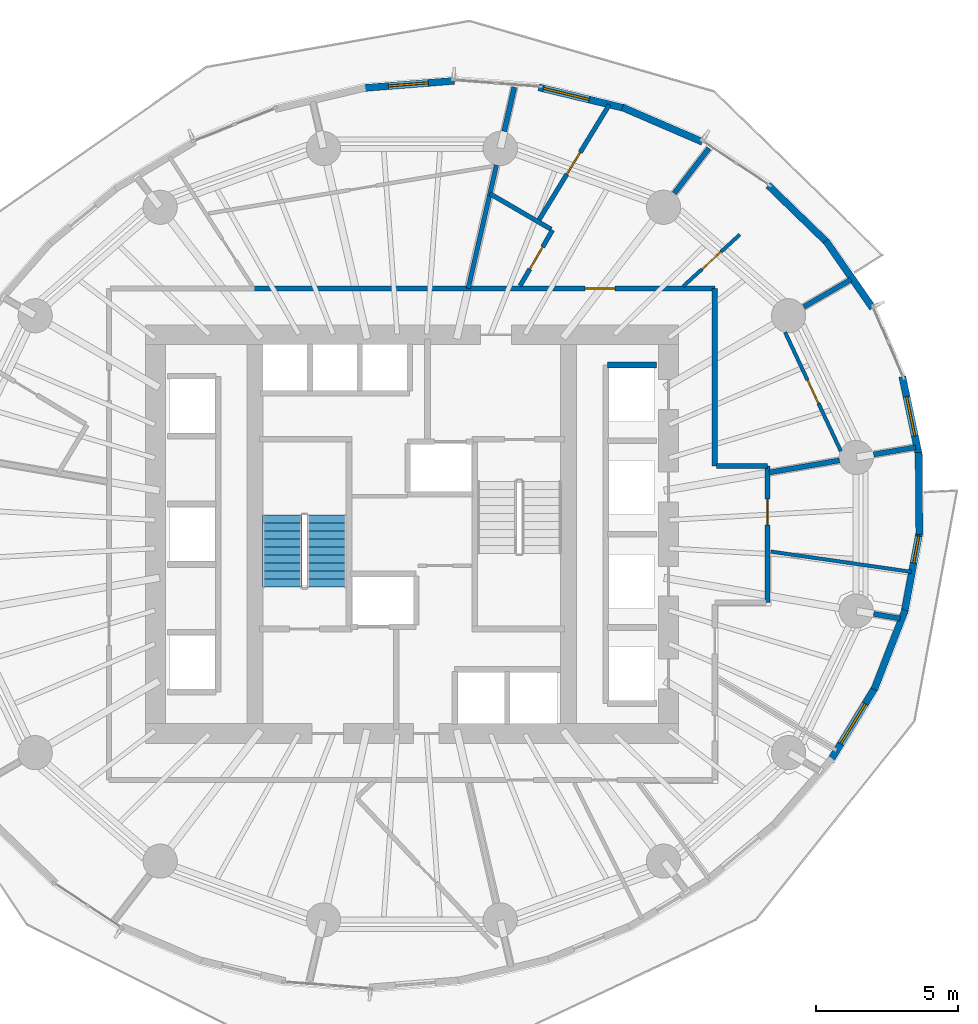
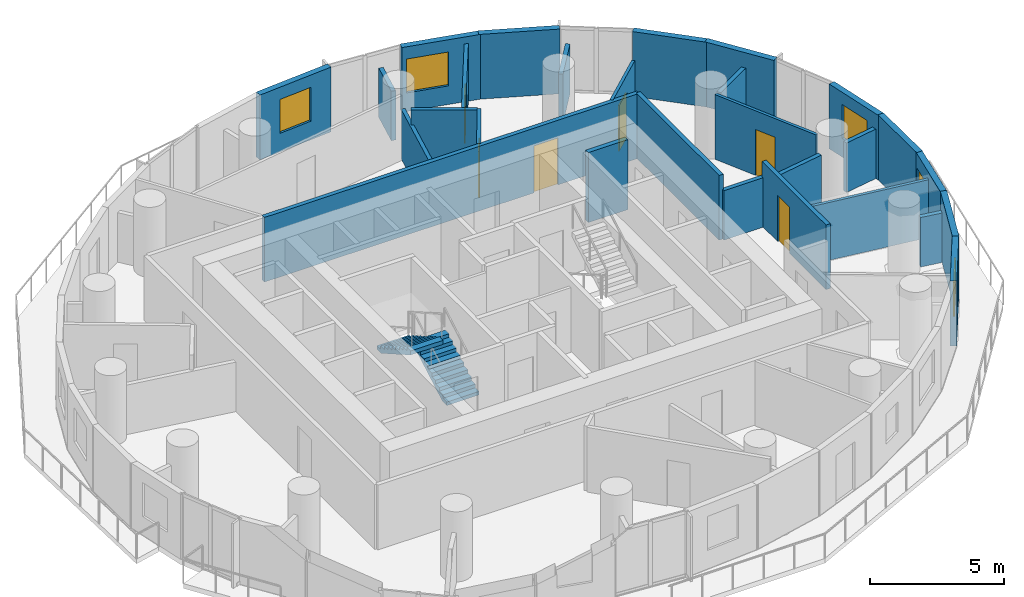
# One storey, part 9 of 14: 28 walls, 6 doors, 5 windows, 2 stair flights, 11 openings, 1 element without a shape of its own.
"""IFC4 building model written with IfcOpenShell, lengths in metres."""

from ifc_helpers import new_model, si_unit, direction, frame, frame_2d, origin, place, context, subcontext, project, spatial, polyline, rectangle, outline, extrude, material, layer, layer_set, type_object, element, fill, aggregate, save


model = new_model("IFC4")

# Units and contexts
model_context = context("Model", 3, precision=1e-05, world=origin(), true_north=direction((0.0, 1.0)))
body_context = subcontext(model_context, "Body", "Model", "MODEL_VIEW")
ifc_project = project(units=[si_unit("LENGTHUNIT", "METRE"), si_unit("AREAUNIT", "SQUARE_METRE"), si_unit("VOLUMEUNIT", "CUBIC_METRE"), si_unit("PLANEANGLEUNIT", "RADIAN"), si_unit("MASSUNIT", "GRAM", prefix="KILO")], contexts=[model_context])

# Site, building, storey
site_placement = place(None, origin())
site = spatial("IfcSite", under=ifc_project, at=site_placement, CompositionType="ELEMENT")
building_placement = place(site_placement, origin())
building = spatial("IfcBuilding", under=site, at=building_placement, Name="Veldorim Arch Residences", CompositionType="ELEMENT")
storey_placement = place(building_placement, frame((0.0, 0.0, 74.080078125)))
storey = spatial("IfcBuildingStorey", under=building, at=storey_placement, Name="L21", CompositionType="ELEMENT", Elevation=74.080078125)

# Wall
ifc_material_1 = material(Name="Acoustic Gypsum Board", Category="gypsum")
ifc_layer_1 = layer(ifc_material_1, 0.125, Name="Acoustic Stud Room Partition Wall 125")
ifc_layer_set_1 = layer_set([ifc_layer_1], Name="Acoustic Gypsum Board")
wall_type_1 = type_object("IfcWallType", Name="Acoustic Stud Room Partition Wall 125", PredefinedType="PARTITIONING", material=ifc_layer_set_1)
wall_1_placement = place(storey_placement, frame((49.53955078125, 22.676513671875, 0.0), z_axis=(0.0, 0.0, 1.0), x_axis=(-0.989708433574, 0.143098625124, 0.0)))
element("IfcWall", 1, at=wall_1_placement, inside=storey, type_object=wall_type_1, Name="L21 interior wall WL-RES-L21-011", PredefinedType="PARTITIONING", context=body_context, shape_type="SweptSolid", body=[
    extrude(rectangle(XDim=4.991943359375, YDim=0.125, at=frame_2d((2.49609375, 0.0))), origin(), (0.0, 0.0, 1.0), 2.641357421875),
])

# Wall, opening, door
wall_2_placement = place(storey_placement, frame((43.510986328125, 34.51611328125, 0.0), z_axis=(0.0, 0.0, 1.0), x_axis=(-0.738303163636, -0.674469004896, 0.0)))
wall_2 = element("IfcWall", 2, at=wall_2_placement, inside=storey, type_object=wall_type_1, Name="L21 interior wall WL-RES-L21-018", PredefinedType="PARTITIONING", context=body_context, shape_type="SweptSolid", body=[
    extrude(rectangle(XDim=2.6962890625, YDim=0.125, at=frame_2d((1.34814453125, 0.0))), origin(), (0.0, 0.0, 1.0), 2.954833984375),
])
opening_1_placement = place(wall_2_placement, frame((0.898193359375, 0.0, 0.0)))
opening_1 = element("IfcOpeningElement", 3, at=opening_1_placement, cuts=wall_2, Name="Opening DR-INT", PredefinedType="OPENING", context=body_context, shape_type="SweptSolid", body=[
    extrude(rectangle(XDim=0.89990234375, YDim=2.10009765625, at=frame_2d((0.449951171875, 1.050048828125))), frame((0.0, 0.072509765625, 0.0), z_axis=(0.0, -1.0, 0.0), x_axis=(1.0, 0.0, 0.0)), (0.0, 0.0, 1.0), 0.14501953125),
])
ifc_material_2 = material(Name="Engineered Timber", Category="wood")
door_type_1 = type_object("IfcDoorType", Name="Apartment Internal Room Timber Door 900x2100", OperationType="SINGLE_SWING_LEFT", PredefinedType="DOOR", material=ifc_material_2)
door_1_placement = place(opening_1_placement, origin())
door_1 = element("IfcDoor", 4, at=door_1_placement, inside=storey, type_object=door_type_1, Name="L21 interior door DR-RES-L21-008", OperationType="SINGLE_SWING_RIGHT", OverallHeight=2.10009765625, OverallWidth=0.89990234375, PredefinedType="DOOR", context=body_context, shape_type="SweptSolid", body=[
    extrude(rectangle(XDim=0.89990234375, YDim=2.10009765625, at=frame_2d((0.449951171875, 1.050048828125))), frame((0.0, 0.02490234375, 0.0), z_axis=(0.0, -1.0, 0.0), x_axis=(1.0, 0.0, 0.0)), (0.0, 0.0, 1.0), 0.050048828125),
])
fill(opening_1, door_1)

wall_3_placement = place(storey_placement, frame((45.09814453125, 31.08740234375, 0.0), z_axis=(0.0, 0.0, 1.0), x_axis=(0.424725570062, -0.905322147158, 0.0)))
wall_3 = element("IfcWall", 5, at=wall_3_placement, inside=storey, type_object=wall_type_1, Name="L21 interior wall WL-RES-L21-022", PredefinedType="PARTITIONING", context=body_context, shape_type="SweptSolid", body=[
    extrude(rectangle(XDim=4.610107421875, YDim=0.125, at=frame_2d((2.30517578125, 0.0))), origin(), (0.0, 0.0, 1.0), 2.954833984375),
])
opening_2_placement = place(wall_3_placement, frame((1.85498046875, 0.0, 0.0)))
opening_2 = element("IfcOpeningElement", 6, at=opening_2_placement, cuts=wall_3, Name="Opening DR-INT", PredefinedType="OPENING", context=body_context, shape_type="SweptSolid", body=[
    extrude(rectangle(XDim=0.89990234375, YDim=2.10009765625, at=frame_2d((0.449951171875, 1.050048828125))), frame((0.0, 0.072509765625, 0.0), z_axis=(0.0, -1.0, 0.0), x_axis=(1.0, 0.0, 0.0)), (0.0, 0.0, 1.0), 0.14501953125),
])
door_2_placement = place(opening_2_placement, origin())
door_2 = element("IfcDoor", 7, at=door_2_placement, inside=storey, type_object=door_type_1, Name="L21 interior door DR-RES-L21-009", OperationType="SINGLE_SWING_LEFT", OverallHeight=2.10009765625, OverallWidth=0.89990234375, PredefinedType="DOOR", context=body_context, shape_type="SweptSolid", body=[
    extrude(rectangle(XDim=0.89990234375, YDim=2.10009765625, at=frame_2d((0.449951171875, 1.050048828125))), frame((0.0, 0.02490234375, 0.0), z_axis=(0.0, -1.0, 0.0), x_axis=(1.0, 0.0, 0.0)), (0.0, 0.0, 1.0), 0.050048828125),
])
fill(opening_2, door_2)

# Walls
ifc_material_3 = material(Name="Lightweight Masonry Block & Gypsum", Category="masonry")
ifc_layer_2 = layer(ifc_material_3, 0.179931640625, Name="Compartment & Corridor Fire-Rated Party Wall 180")
ifc_layer_set_2 = layer_set([ifc_layer_2], Name="Lightweight Masonry Block & Gypsum")
wall_type_2 = type_object("IfcWallType", Name="Compartment & Corridor Fire-Rated Party Wall 180", PredefinedType="PARTITIONING", material=ifc_layer_set_2)
wall_4_placement = place(storey_placement, frame((48.20556640625, 26.797607421875, 0.0), z_axis=(0.0, 0.0, 1.0), x_axis=(0.985414821555, 0.170169413997, 0.0)))
element("IfcWall", 8, at=wall_4_placement, inside=storey, type_object=wall_type_2, Name="L21 interior wall WL-PIER-L21-01", PredefinedType="PARTITIONING", context=body_context, shape_type="SweptSolid", body=[
    extrude(rectangle(XDim=1.494873046875, YDim=0.179931640625, at=frame_2d((0.74755859375, 0.0))), origin(), (0.0, 0.0, 1.0), 2.260498046875),
])
wall_5_placement = place(storey_placement, frame((45.756591796875, 31.977783203125, 0.0), z_axis=(0.0, 0.0, 1.0), x_axis=(0.86503562166, 0.501710447628, 0.0)))
element("IfcWall", 9, at=wall_5_placement, inside=storey, type_object=wall_type_2, Name="L21 interior wall WL-PIER-L21-02", PredefinedType="PARTITIONING", context=body_context, shape_type="SweptSolid", body=[
    extrude(rectangle(XDim=1.912353515625, YDim=0.179931640625, at=frame_2d((0.9560546875, 0.0))), origin(), (0.0, 0.0, 1.0), 2.260498046875),
])
wall_6_placement = place(storey_placement, frame((41.2119140625, 35.965576171875, 0.0), z_axis=(0.0, 0.0, 1.0), x_axis=(0.609995088008, 0.792405194712, 0.0)))
element("IfcWall", 10, at=wall_6_placement, inside=storey, type_object=wall_type_2, Name="L21 interior wall WL-PIER-L21-03", PredefinedType="PARTITIONING", context=body_context, shape_type="SweptSolid", body=[
    extrude(rectangle(XDim=1.991455078125, YDim=0.179931640625, at=frame_2d((0.99560546875, 0.0))), origin(), (0.0, 0.0, 1.0), 2.260498046875),
])
wall_7_placement = place(storey_placement, frame((35.240478515625, 38.13916015625, 0.0), z_axis=(0.0, 0.0, 1.0), x_axis=(0.223333591652, 0.974742071955, 0.0)))
element("IfcWall", 11, at=wall_7_placement, inside=storey, type_object=wall_type_2, Name="L21 interior wall WL-PIER-L21-04", PredefinedType="PARTITIONING", context=body_context, shape_type="SweptSolid", body=[
    extrude(rectangle(XDim=1.58935546875, YDim=0.179931640625, at=frame_2d((0.794677734375, 0.0))), origin(), (0.0, 0.0, 1.0), 2.260498046875),
])
wall_8_placement = place(storey_placement, frame((48.20556640625, 21.202392578125, 0.0), z_axis=(0.0, 0.0, 1.0), x_axis=(0.985396187556, -0.170277284302, 0.0)))
element("IfcWall", 12, at=wall_8_placement, inside=storey, type_object=wall_type_2, Name="L21 interior wall WL-PIER-L21-16", PredefinedType="PARTITIONING", context=body_context, shape_type="SweptSolid", body=[
    extrude(rectangle(XDim=0.94921875, YDim=0.179931640625, at=frame_2d((0.474609375, 0.0))), origin(), (0.0, 0.0, 1.0), 2.260498046875),
])

# Wall, opening, door
wall_9_placement = place(storey_placement, frame((44.47998046875, 26.39990234375, 0.0), z_axis=(0.0, 0.0, 1.0), x_axis=(0.0, -1.0, 0.0)))
wall_9 = element("IfcWall", 13, at=wall_9_placement, inside=storey, type_object=wall_type_2, Name="L21 interior wall WL-RES-L21-001", PredefinedType="PARTITIONING", context=body_context, shape_type="SweptSolid", body=[
    extrude(rectangle(XDim=4.7998046875, YDim=0.179931640625, at=frame_2d((2.39990234375, 0.0))), origin(), (0.0, 0.0, 1.0), 2.954833984375),
])
opening_3_placement = place(wall_9_placement, frame((1.168701171875, 0.0, 0.0)))
opening_3 = element("IfcOpeningElement", 14, at=opening_3_placement, cuts=wall_9, Name="Opening DR-SVC", PredefinedType="OPENING", context=body_context, shape_type="SweptSolid", body=[
    extrude(rectangle(XDim=0.89990234375, YDim=2.10009765625, at=frame_2d((0.449951171875, 1.050048828125))), frame((0.0, 0.099853515625, 0.0), z_axis=(0.0, -1.0, 0.0), x_axis=(1.0, 0.0, 0.0)), (0.0, 0.0, 1.0), 0.199951171875),
])
ifc_material_4 = material(Name="Fire-Rated Steel", Category="steel")
door_type_2 = type_object("IfcDoorType", Name="Riser, Shelter & Plant Room Rated Steel Door 900x2100", OperationType="SINGLE_SWING_LEFT", PredefinedType="DOOR", material=ifc_material_4)
door_3_placement = place(opening_3_placement, origin())
door_3 = element("IfcDoor", 15, at=door_3_placement, inside=storey, type_object=door_type_2, Name="L21 interior door DR-RES-L21-001", OperationType="SINGLE_SWING_LEFT", OverallHeight=2.10009765625, OverallWidth=0.89990234375, PredefinedType="DOOR", context=body_context, shape_type="SweptSolid", body=[
    extrude(rectangle(XDim=0.89990234375, YDim=2.10009765625, at=frame_2d((0.449951171875, 1.050048828125))), frame((0.0, 0.02490234375, 0.0), z_axis=(0.0, -1.0, 0.0), x_axis=(1.0, 0.0, 0.0)), (0.0, 0.0, 1.0), 0.050048828125),
])
fill(opening_3, door_3)

wall_10_placement = place(storey_placement, frame((26.43115234375, 32.6298828125, 0.0), z_axis=(0.0, 0.0, 1.0), x_axis=(1.0, 0.0, 0.0)))
wall_10 = element("IfcWall", 16, at=wall_10_placement, inside=storey, type_object=wall_type_2, Name="L21 interior wall WL-RES-L21-005", PredefinedType="PARTITIONING", context=body_context, shape_type="SweptSolid", body=[
    extrude(rectangle(XDim=16.19873046875, YDim=0.179931640625, at=frame_2d((8.099365234375, 0.0))), origin(), (0.0, 0.0, 1.0), 2.954833984375),
])
opening_4_placement = place(wall_10_placement, frame((11.645263671875, 0.0, 0.0)))
opening_4 = element("IfcOpeningElement", 17, at=opening_4_placement, cuts=wall_10, Name="Opening DR-FLT", PredefinedType="OPENING", context=body_context, shape_type="SweptSolid", body=[
    extrude(rectangle(XDim=1.050048828125, YDim=2.14990234375, at=frame_2d((0.52490234375, 1.074951171875))), frame((0.0, 0.099853515625, 0.0), z_axis=(0.0, -1.0, 0.0), x_axis=(1.0, 0.0, 0.0)), (0.0, 0.0, 1.0), 0.199951171875),
])
ifc_material_5 = material(Name="Fire-Rated Timber", Category="wood")
door_type_3 = type_object("IfcDoorType", Name="Apartment Entrance Solid-Core Fire Door 1050x2150", OperationType="SINGLE_SWING_LEFT", PredefinedType="DOOR", material=ifc_material_5)
door_4_placement = place(opening_4_placement, origin())
door_4 = element("IfcDoor", 18, at=door_4_placement, inside=storey, type_object=door_type_3, Name="L21 interior door DR-RES-L21-006", OperationType="SINGLE_SWING_RIGHT", OverallHeight=2.14990234375, OverallWidth=1.050048828125, PredefinedType="DOOR", context=body_context, shape_type="SweptSolid", body=[
    extrude(rectangle(XDim=1.050048828125, YDim=2.14990234375, at=frame_2d((0.52490234375, 1.074951171875))), frame((0.0, 0.02490234375, 0.0), z_axis=(0.0, -1.0, 0.0), x_axis=(1.0, 0.0, 0.0)), (0.0, 0.0, 1.0), 0.050048828125),
])
fill(opening_4, door_4)

# Walls
wall_11_placement = place(storey_placement, frame((42.6298828125, 32.6298828125, 0.0), z_axis=(0.0, 0.0, 1.0), x_axis=(0.0, -1.0, 0.0)))
element("IfcWall", 19, at=wall_11_placement, inside=storey, type_object=wall_type_2, Name="L21 interior wall WL-RES-L21-006", PredefinedType="PARTITIONING", context=body_context, shape_type="SweptSolid", body=[
    extrude(rectangle(XDim=6.22998046875, YDim=0.179931640625, at=frame_2d((3.114990234375, 0.0))), origin(), (0.0, 0.0, 1.0), 2.954833984375),
])
wall_12_placement = place(storey_placement, frame((42.68994140625, 26.39990234375, 0.0), z_axis=(0.0, 0.0, 1.0), x_axis=(1.0, 0.0, 0.0)))
element("IfcWall", 20, at=wall_12_placement, inside=storey, type_object=wall_type_2, Name="L21 interior wall WL-RES-L21-007", PredefinedType="PARTITIONING", context=body_context, shape_type="SweptSolid", body=[
    extrude(rectangle(XDim=1.7900390625, YDim=0.179931640625, at=frame_2d((0.89501953125, 0.0))), origin(), (0.0, 0.0, 1.0), 2.260498046875),
])
wall_13_placement = place(storey_placement, frame((44.5390625, 26.164794921875, 0.0), z_axis=(0.0, 0.0, 1.0), x_axis=(0.985420684403, 0.170135460006, 0.0)))
element("IfcWall", 21, at=wall_13_placement, inside=storey, type_object=wall_type_2, Name="L21 interior wall WL-RES-L21-012", PredefinedType="PARTITIONING", context=body_context, shape_type="SweptSolid", body=[
    extrude(rectangle(XDim=2.504150390625, YDim=0.179931640625, at=frame_2d((1.251953125, 0.0))), origin(), (0.0, 0.0, 1.0), 2.260498046875),
])
ifc_material_6 = material(Name="Concrete C50/60", Category="concrete")
ifc_layer_3 = layer(ifc_material_6, 0.199951171875, Name="Core Stair & Lift Shaft Enclosure Wall 200")
ifc_layer_set_3 = layer_set([ifc_layer_3], Name="Concrete C50/60")
wall_type_3 = type_object("IfcWallType", Name="Core Stair & Lift Shaft Enclosure Wall 200", PredefinedType="SHEAR", material=ifc_layer_set_3)
wall_14_placement = place(storey_placement, frame((38.8701171875, 29.93994140625, 0.0), z_axis=(0.0, 0.0, 1.0), x_axis=(1.0, 0.0, 0.0)))
element("IfcWall", 22, at=wall_14_placement, inside=storey, type_object=wall_type_3, Name="L21 shaft wall WL-B1-L21-N", PredefinedType="SHEAR", context=body_context, shape_type="SweptSolid", body=[
    extrude(rectangle(XDim=1.7099609375, YDim=0.199951171875, at=frame_2d((0.85498046875, 0.0))), origin(), (0.0, 0.0, 1.0), 3.199951171875),
])
ifc_material_7 = material(Name="Precast concrete C40/50", Category="concrete")
ifc_layer_4 = layer(ifc_material_7, 0.25, Name="Tower Terracotta Spandrel & Pier Wall 250")
ifc_layer_set_4 = layer_set([ifc_layer_4], Name="Precast concrete C40/50")
wall_type_4 = type_object("IfcWallType", Name="Tower Terracotta Spandrel & Pier Wall 250", PredefinedType="SOLIDWALL", material=ifc_layer_set_4)
wall_15_placement = place(storey_placement, frame((46.532470703125, 34.298095703125, 0.0), z_axis=(0.0, 0.0, 1.0), x_axis=(0.570574087236, -0.821246133005, 0.0)))
element("IfcWall", 23, at=wall_15_placement, inside=storey, type_object=wall_type_4, Name="L21 terracotta facade wall 02", PredefinedType="SOLIDWALL", context=body_context, shape_type="SweptSolid", body=[
    extrude(rectangle(XDim=2.8740234375, YDim=0.25, at=frame_2d((1.43701171875, 0.0))), origin(), (0.0, 0.0, 1.0), 2.9599609375),
])
wall_16_placement = place(storey_placement, frame((44.50732421875, 36.24658203125, 0.0), z_axis=(0.0, 0.0, 1.0), x_axis=(0.717880157086, -0.696166704219, 0.0)))
element("IfcWall", 24, at=wall_16_placement, inside=storey, type_object=wall_type_4, Name="L21 terracotta facade wall 03", PredefinedType="SOLIDWALL", context=body_context, shape_type="SweptSolid", body=[
    extrude(rectangle(XDim=2.92333984375, YDim=0.25, at=frame_2d((1.461669921875, 0.0))), origin(), (0.0, 0.0, 1.0), 2.9599609375),
])
wall_17_placement = place(storey_placement, frame((39.39013671875, 38.982421875, 0.0), z_axis=(0.0, 0.0, 1.0), x_axis=(0.91829708806, -0.395891977766, 0.0)))
element("IfcWall", 25, at=wall_17_placement, inside=storey, type_object=wall_type_4, Name="L21 terracotta facade wall 05", PredefinedType="SOLIDWALL", context=body_context, shape_type="SweptSolid", body=[
    extrude(rectangle(XDim=3.060546875, YDim=0.25, at=frame_2d((1.5302734375, 0.0))), origin(), (0.0, 0.0, 1.0), 2.9599609375),
])

# Wall, opening, window
wall_18_placement = place(storey_placement, frame((36.452392578125, 39.6865234375, 0.0), z_axis=(0.0, 0.0, 1.0), x_axis=(0.971748850292, -0.236017312833, 0.0)))
wall_18 = element("IfcWall", 26, at=wall_18_placement, inside=storey, type_object=wall_type_4, Name="L21 terracotta facade wall 06", PredefinedType="SOLIDWALL", context=body_context, shape_type="SweptSolid", body=[
    extrude(rectangle(XDim=3.131103515625, YDim=0.25, at=frame_2d((1.5654296875, 0.0))), origin(), (0.0, 0.0, 1.0), 2.9599609375),
])
opening_5_placement = place(wall_18_placement, frame((0.175048828125, 0.0, 0.85009765625)))
opening_5 = element("IfcOpeningElement", 27, at=opening_5_placement, cuts=wall_18, Name="Opening WN-03", PredefinedType="OPENING", context=body_context, shape_type="SweptSolid", body=[
    extrude(rectangle(XDim=1.64990234375, YDim=1.550048828125, at=frame_2d((0.824951171875, 0.77490234375))), frame((0.0, 0.135009765625, 0.0), z_axis=(0.0, -1.0, 0.0), x_axis=(1.0, 0.0, 0.0)), (0.0, 0.0, 1.0), 0.27001953125),
])
ifc_material_8 = material(Name="Laminated Low-E Glass", Category="glass")
window_type_1 = type_object("IfcWindowType", Name="Residential Wide Window 1650x1550", PartitioningType="SINGLE_PANEL", PredefinedType="WINDOW", material=ifc_material_8)
window_1_placement = place(opening_5_placement, origin())
window_1 = element("IfcWindow", 28, at=window_1_placement, inside=storey, type_object=window_type_1, Name="L21 solar-control facade window 06", OverallHeight=1.550048828125, OverallWidth=1.64990234375, PartitioningType="SINGLE_PANEL", PredefinedType="WINDOW", context=body_context, shape_type="SweptSolid", body=[
    extrude(rectangle(XDim=1.64990234375, YDim=1.550048828125, at=frame_2d((0.824951171875, 0.77490234375))), frame((0.0, 0.030029296875, 0.0), z_axis=(0.0, -1.0, 0.0), x_axis=(1.0, 0.0, 0.0)), (0.0, 0.0, 1.0), 0.06005859375),
])
fill(opening_5, window_1)

wall_19_placement = place(storey_placement, frame((30.26171875, 39.65771484375, 0.0), z_axis=(0.0, 0.0, 1.0), x_axis=(0.996851873062, 0.079286462736, 0.0)))
wall_19 = element("IfcWall", 29, at=wall_19_placement, inside=storey, type_object=wall_type_4, Name="L21 terracotta facade wall 08", PredefinedType="SOLIDWALL", context=body_context, shape_type="SweptSolid", body=[
    extrude(rectangle(XDim=3.236328125, YDim=0.25, at=frame_2d((1.6181640625, 0.0))), origin(), (0.0, 0.0, 1.0), 2.9599609375),
])
opening_6_placement = place(wall_19_placement, frame((0.91796875, 0.0, 0.85009765625)))
opening_6 = element("IfcOpeningElement", 30, at=opening_6_placement, cuts=wall_19, Name="Opening WN-02", PredefinedType="OPENING", context=body_context, shape_type="SweptSolid", body=[
    extrude(rectangle(XDim=1.39990234375, YDim=1.550048828125, at=frame_2d((0.699951171875, 0.77490234375))), frame((0.0, 0.135009765625, 0.0), z_axis=(0.0, -1.0, 0.0), x_axis=(1.0, 0.0, 0.0)), (0.0, 0.0, 1.0), 0.27001953125),
])
ifc_material_9 = material(Name="Laminated Low-E Glass", Category="glass")
window_type_2 = type_object("IfcWindowType", Name="Residential Casement Window 1400x1550", PartitioningType="SINGLE_PANEL", PredefinedType="WINDOW", material=ifc_material_9)
window_2_placement = place(opening_6_placement, origin())
window_2 = element("IfcWindow", 31, at=window_2_placement, inside=storey, type_object=window_type_2, Name="L21 solar-control facade window 08", OverallHeight=1.550048828125, OverallWidth=1.39990234375, PartitioningType="SINGLE_PANEL", PredefinedType="WINDOW", context=body_context, shape_type="SweptSolid", body=[
    extrude(rectangle(XDim=1.39990234375, YDim=1.550048828125, at=frame_2d((0.699951171875, 0.77490234375))), frame((0.0, 0.030029296875, 0.0), z_axis=(0.0, -1.0, 0.0), x_axis=(1.0, 0.0, 0.0)), (0.0, 0.0, 1.0), 0.06005859375),
])
fill(opening_6, window_2)

wall_20_placement = place(storey_placement, frame((48.28076171875, 18.64990234375, 0.0), z_axis=(0.0, 0.0, 1.0), x_axis=(-0.520956264952, -0.853583370273, 0.0)))
wall_20 = element("IfcWall", 32, at=wall_20_placement, inside=storey, type_object=wall_type_4, Name="L21 terracotta facade wall 32", PredefinedType="SOLIDWALL", context=body_context, shape_type="SweptSolid", body=[
    extrude(rectangle(XDim=3.060791015625, YDim=0.25, at=frame_2d((1.5302734375, 0.0))), origin(), (0.0, 0.0, 1.0), 2.9599609375),
])
opening_7_placement = place(wall_20_placement, frame((0.705078125, 0.0, 0.85009765625)))
opening_7 = element("IfcOpeningElement", 33, at=opening_7_placement, cuts=wall_20, Name="Opening WN-03", PredefinedType="OPENING", context=body_context, shape_type="SweptSolid", body=[
    extrude(rectangle(XDim=1.64990234375, YDim=1.550048828125, at=frame_2d((0.824951171875, 0.77490234375))), frame((0.0, 0.135009765625, 0.0), z_axis=(0.0, -1.0, 0.0), x_axis=(1.0, 0.0, 0.0)), (0.0, 0.0, 1.0), 0.27001953125),
])
window_3_placement = place(opening_7_placement, origin())
window_3 = element("IfcWindow", 34, at=window_3_placement, inside=storey, type_object=window_type_1, Name="L21 solar-control facade window 32", OverallHeight=1.550048828125, OverallWidth=1.64990234375, PartitioningType="SINGLE_PANEL", PredefinedType="WINDOW", context=body_context, shape_type="SweptSolid", body=[
    extrude(rectangle(XDim=1.64990234375, YDim=1.550048828125, at=frame_2d((0.824951171875, 0.77490234375))), frame((0.0, 0.030029296875, 0.0), z_axis=(0.0, -1.0, 0.0), x_axis=(1.0, 0.0, 0.0)), (0.0, 0.0, 1.0), 0.06005859375),
])
fill(opening_7, window_3)

# Wall
wall_21_placement = place(storey_placement, frame((49.314208984375, 21.3349609375, 0.0), z_axis=(0.0, 0.0, 1.0), x_axis=(-0.362414720493, -0.93201693674, 0.0)))
element("IfcWall", 35, at=wall_21_placement, inside=storey, type_object=wall_type_4, Name="L21 terracotta facade wall 33", PredefinedType="SOLIDWALL", context=body_context, shape_type="SweptSolid", body=[
    extrude(rectangle(XDim=2.98828125, YDim=0.25, at=frame_2d((1.494140625, 0.0))), origin(), (0.0, 0.0, 1.0), 2.9599609375),
])

# Wall, opening, window
wall_22_placement = place(storey_placement, frame((49.8212890625, 24.10009765625, 0.0), z_axis=(0.0, 0.0, 1.0), x_axis=(-0.183975908968, -0.982930752861, 0.0)))
wall_22 = element("IfcWall", 36, at=wall_22_placement, inside=storey, type_object=wall_type_4, Name="L21 terracotta facade wall 34", PredefinedType="SOLIDWALL", context=body_context, shape_type="SweptSolid", body=[
    extrude(rectangle(XDim=2.92333984375, YDim=0.25, at=frame_2d((1.461669921875, 0.0))), origin(), (0.0, 0.0, 1.0), 2.9599609375),
])
opening_8_placement = place(wall_22_placement, frame((0.175048828125, 0.0, 0.85009765625)))
opening_8 = element("IfcOpeningElement", 37, at=opening_8_placement, cuts=wall_22, Name="Opening WN-05", PredefinedType="OPENING", context=body_context, shape_type="SweptSolid", body=[
    extrude(rectangle(XDim=0.949951171875, YDim=1.449951171875, at=frame_2d((0.47509765625, 0.72509765625))), frame((0.0, 0.135009765625, 0.0), z_axis=(0.0, -1.0, 0.0), x_axis=(1.0, 0.0, 0.0)), (0.0, 0.0, 1.0), 0.27001953125),
])
ifc_material_10 = material(Name="Laminated Low-E Glass", Category="glass")
window_type_3 = type_object("IfcWindowType", Name="Residential Compact Casement Window 950x1450", PartitioningType="SINGLE_PANEL", PredefinedType="WINDOW", material=ifc_material_10)
window_4_placement = place(opening_8_placement, origin())
window_4 = element("IfcWindow", 38, at=window_4_placement, inside=storey, type_object=window_type_3, Name="L21 solar-control facade window 34", OverallHeight=1.449951171875, OverallWidth=0.949951171875, PartitioningType="SINGLE_PANEL", PredefinedType="WINDOW", context=body_context, shape_type="SweptSolid", body=[
    extrude(rectangle(XDim=0.949951171875, YDim=1.449951171875, at=frame_2d((0.47509765625, 0.72509765625))), frame((0.0, 0.030029296875, 0.0), z_axis=(0.0, -1.0, 0.0), x_axis=(1.0, 0.0, 0.0)), (0.0, 0.0, 1.0), 0.06005859375),
])
fill(opening_8, window_4)

# Wall
wall_23_placement = place(storey_placement, frame((49.78662109375, 26.860595703125, 0.0), z_axis=(0.0, 0.0, 1.0), x_axis=(0.008580093639, -0.999963190319, 0.0)))
element("IfcWall", 39, at=wall_23_placement, inside=storey, type_object=wall_type_4, Name="L21 terracotta facade wall 35", PredefinedType="SOLIDWALL", context=body_context, shape_type="SweptSolid", body=[
    extrude(rectangle(XDim=2.873779296875, YDim=0.25, at=frame_2d((1.43701171875, 0.0))), origin(), (0.0, 0.0, 1.0), 2.9599609375),
])

# Wall, opening, window
wall_24_placement = place(storey_placement, frame((49.212646484375, 29.533447265625, 0.0), z_axis=(0.0, 0.0, 1.0), x_axis=(0.205949984324, -0.978562519187, 0.0)))
wall_24 = element("IfcWall", 40, at=wall_24_placement, inside=storey, type_object=wall_type_4, Name="L21 terracotta facade wall 36", PredefinedType="SOLIDWALL", context=body_context, shape_type="SweptSolid", body=[
    extrude(rectangle(XDim=2.847412109375, YDim=0.25, at=frame_2d((1.423828125, 0.0))), origin(), (0.0, 0.0, 1.0), 2.9599609375),
])
opening_9_placement = place(wall_24_placement, frame((0.72412109375, 0.0, 0.85009765625)))
opening_9 = element("IfcOpeningElement", 41, at=opening_9_placement, cuts=wall_24, Name="Opening WN-02", PredefinedType="OPENING", context=body_context, shape_type="SweptSolid", body=[
    extrude(rectangle(XDim=1.39990234375, YDim=1.550048828125, at=frame_2d((0.699951171875, 0.77490234375))), frame((0.0, 0.135009765625, 0.0), z_axis=(0.0, -1.0, 0.0), x_axis=(1.0, 0.0, 0.0)), (0.0, 0.0, 1.0), 0.27001953125),
])
window_5_placement = place(opening_9_placement, origin())
window_5 = element("IfcWindow", 42, at=window_5_placement, inside=storey, type_object=window_type_2, Name="L21 solar-control facade window 36", OverallHeight=1.550048828125, OverallWidth=1.39990234375, PartitioningType="SINGLE_PANEL", PredefinedType="WINDOW", context=body_context, shape_type="SweptSolid", body=[
    extrude(rectangle(XDim=1.39990234375, YDim=1.550048828125, at=frame_2d((0.699951171875, 0.77490234375))), frame((0.0, 0.030029296875, 0.0), z_axis=(0.0, -1.0, 0.0), x_axis=(1.0, 0.0, 0.0)), (0.0, 0.0, 1.0), 0.06005859375),
])
fill(opening_9, window_5)

# Wall, opening, door
ifc_material_11 = material(Name="Moisture-Resistant Gypsum & Stud", Category="gypsum")
ifc_layer_5 = layer(ifc_material_11, 0.159912109375, Name="Wet-Area Moisture-Resistant Plumbing Wall 160")
ifc_layer_set_5 = layer_set([ifc_layer_5], Name="Moisture-Resistant Gypsum & Stud")
wall_type_5 = type_object("IfcWallType", Name="Wet-Area Moisture-Resistant Plumbing Wall 160", PredefinedType="PLUMBINGWALL", material=ifc_layer_set_5)
wall_25_placement = place(storey_placement, frame((36.423828125, 34.970947265625, 0.0), z_axis=(0.0, 0.0, 1.0), x_axis=(0.521036660125, 0.853534298553, 0.0)))
wall_25 = element("IfcWall", 43, at=wall_25_placement, inside=storey, type_object=wall_type_5, Name="L21 interior wall WL-RES-L21-017", PredefinedType="PLUMBINGWALL", context=body_context, shape_type="SweptSolid", body=[
    extrude(rectangle(XDim=4.802734375, YDim=0.159912109375, at=frame_2d((2.4013671875, 0.0))), origin(), (0.0, 0.0, 1.0), 2.641357421875),
])
opening_10_placement = place(wall_25_placement, frame((1.951416015625, 0.0, 0.0)))
opening_10 = element("IfcOpeningElement", 44, at=opening_10_placement, cuts=wall_25, Name="Opening DR-WC", PredefinedType="OPENING", context=body_context, shape_type="SweptSolid", body=[
    extrude(rectangle(XDim=0.89990234375, YDim=2.10009765625, at=frame_2d((0.449951171875, 1.050048828125))), frame((0.0, 0.08984375, 0.0), z_axis=(0.0, -1.0, 0.0), x_axis=(1.0, 0.0, 0.0)), (0.0, 0.0, 1.0), 0.179931640625),
])
ifc_material_12 = material(Name="Laminate Timber", Category="wood")
door_type_4 = type_object("IfcDoorType", Name="Bathroom & Accessible WC Moisture-Sealed Door 900x2100", OperationType="SINGLE_SWING_LEFT", PredefinedType="DOOR", material=ifc_material_12)
door_5_placement = place(opening_10_placement, origin())
door_5 = element("IfcDoor", 45, at=door_5_placement, inside=storey, type_object=door_type_4, Name="L21 interior door DR-RES-L21-007", OperationType="SINGLE_SWING_LEFT", OverallHeight=2.10009765625, OverallWidth=0.89990234375, PredefinedType="DOOR", context=body_context, shape_type="SweptSolid", body=[
    extrude(rectangle(XDim=0.89990234375, YDim=2.10009765625, at=frame_2d((0.449951171875, 1.050048828125))), frame((0.0, 0.02490234375, 0.0), z_axis=(0.0, -1.0, 0.0), x_axis=(1.0, 0.0, 0.0)), (0.0, 0.0, 1.0), 0.050048828125),
])
fill(opening_10, door_5)

wall_26_placement = place(storey_placement, frame((35.796875, 32.71630859375, 0.0), z_axis=(0.0, 0.0, 1.0), x_axis=(0.50256985659, 0.864536603763, 0.0)))
wall_26 = element("IfcWall", 46, at=wall_26_placement, inside=storey, type_object=wall_type_5, Name="L21 interior wall WL-RES-L21-019", PredefinedType="PLUMBINGWALL", context=body_context, shape_type="SweptSolid", body=[
    extrude(rectangle(XDim=2.26416015625, YDim=0.159912109375, at=frame_2d((1.132080078125, 0.0))), origin(), (0.0, 0.0, 1.0), 2.954833984375),
])
opening_11_placement = place(wall_26_placement, frame((0.68212890625, 0.0, 0.0)))
opening_11 = element("IfcOpeningElement", 47, at=opening_11_placement, cuts=wall_26, Name="Opening DR-INT", PredefinedType="OPENING", context=body_context, shape_type="SweptSolid", body=[
    extrude(rectangle(XDim=0.89990234375, YDim=2.10009765625, at=frame_2d((0.449951171875, 1.050048828125))), frame((0.0, 0.08984375, 0.0), z_axis=(0.0, -1.0, 0.0), x_axis=(1.0, 0.0, 0.0)), (0.0, 0.0, 1.0), 0.179931640625),
])
door_6_placement = place(opening_11_placement, origin())
door_6 = element("IfcDoor", 48, at=door_6_placement, inside=storey, type_object=door_type_1, Name="L21 interior door DR-RES-L21-010", OperationType="SINGLE_SWING_RIGHT", OverallHeight=2.10009765625, OverallWidth=0.89990234375, PredefinedType="DOOR", context=body_context, shape_type="SweptSolid", body=[
    extrude(rectangle(XDim=0.89990234375, YDim=2.10009765625, at=frame_2d((0.449951171875, 1.050048828125))), frame((0.0, 0.02490234375, 0.0), z_axis=(0.0, -1.0, 0.0), x_axis=(1.0, 0.0, 0.0)), (0.0, 0.0, 1.0), 0.050048828125),
])
fill(opening_11, door_6)

# Walls
wall_27_placement = place(storey_placement, frame((36.8828125, 34.7041015625, 0.0), z_axis=(0.0, 0.0, 1.0), x_axis=(-0.864542002386, 0.502560569594, 0.0)))
element("IfcWall", 49, at=wall_27_placement, inside=storey, type_object=wall_type_5, Name="L21 interior wall WL-RES-L21-020", PredefinedType="PLUMBINGWALL", context=body_context, shape_type="SweptSolid", body=[
    extrude(rectangle(XDim=2.47998046875, YDim=0.159912109375, at=frame_2d((1.239990234375, 0.0))), origin(), (0.0, 0.0, 1.0), 2.954833984375),
])
wall_28_placement = place(storey_placement, frame((33.977783203125, 32.6298828125, 0.0), z_axis=(0.0, 0.0, 1.0), x_axis=(0.223368533365, 0.974734065426, 0.0)))
element("IfcWall", 50, at=wall_28_placement, inside=storey, type_object=wall_type_5, Name="L21 interior wall WL-RES-L21-021", PredefinedType="PLUMBINGWALL", context=body_context, shape_type="SweptSolid", body=[
    extrude(rectangle(XDim=4.4375, YDim=0.159912109375, at=frame_2d((2.21875, 0.0))), origin(), (0.0, 0.0, 1.0), 2.260498046875),
])

# Stair, stair flights
ifc_material_13 = material(Name="Concrete C40/50", Category="concrete")
stair_type = type_object("IfcStairType", Name="Reinforced Concrete Dogleg Exit Staircase", PredefinedType="HALF_TURN_STAIR", material=ifc_material_13)
stair_placement = place(storey_placement, origin())
stair = element("IfcStair", 51, at=stair_placement, inside=storey, type_object=stair_type, Name="L21 Exit Staircase ST-1", PredefinedType="HALF_TURN_STAIR")
ifc_material_14 = material(Name="Concrete C40/50", Category="concrete")
stair_flight_type = type_object("IfcStairFlightType", Name="Reinforced Concrete Stair Flight 1400", PredefinedType="STRAIGHT", material=ifc_material_14)
stair_flight_1_placement = place(storey_placement, frame((29.010009765625, 22.14990234375, 0.0), z_axis=(0.0, 0.0, 1.0), x_axis=(0.0, 1.0, 0.0)))
stair_flight_1 = element("IfcStairFlight", 52, at=stair_flight_1_placement, type_object=stair_flight_type, Name="ST-1 flight 1", NumberOfRisers=10, NumberOfTreads=9, PredefinedType="STRAIGHT", RiserHeight=0.16, TreadLength=0.28, context=body_context, shape_type="SweptSolid", body=[
    extrude(outline(polyline([(0.0, 0.0), (0.0, 0.159912109375), (0.280029296875, 0.159912109375), (0.280029296875, 0.320068359375), (0.56005859375, 0.320068359375), (0.56005859375, 0.47998046875), (0.840087890625, 0.47998046875), (0.840087890625, 0.639892578125), (1.1201171875, 0.639892578125), (1.1201171875, 0.800048828125), (1.39990234375, 0.800048828125), (1.39990234375, 0.9599609375), (1.679931640625, 0.9599609375), (1.679931640625, 1.1201171875), (1.9599609375, 1.1201171875), (1.9599609375, 1.280029296875), (2.239990234375, 1.280029296875), (2.239990234375, 1.43994140625), (2.52001953125, 1.43994140625), (2.52001953125, 1.60009765625), (2.52001953125, 1.255859375), (0.322265625, 0.0), (0.0, 0.0)])), frame((0.0, 0.699951171875, 0.0), z_axis=(0.0, -1.0, 0.0), x_axis=(1.0, 0.0, 0.0)), (0.0, 0.0, 1.0), 1.39990234375),
])
stair_flight_2_placement = place(storey_placement, frame((27.449951171875, 24.669921875, 1.599853515625), z_axis=(0.0, 0.0, 1.0), x_axis=(0.0, -1.0, 0.0)))
stair_flight_2 = element("IfcStairFlight", 53, at=stair_flight_2_placement, type_object=stair_flight_type, Name="ST-1 flight 2", NumberOfRisers=10, NumberOfTreads=9, PredefinedType="STRAIGHT", RiserHeight=0.16, TreadLength=0.28, context=body_context, shape_type="SweptSolid", body=[
    extrude(outline(polyline([(0.0, 0.0), (0.0, 0.159912109375), (0.280029296875, 0.159912109375), (0.280029296875, 0.320068359375), (0.56005859375, 0.320068359375), (0.56005859375, 0.47998046875), (0.840087890625, 0.47998046875), (0.840087890625, 0.639892578125), (1.1201171875, 0.639892578125), (1.1201171875, 0.800048828125), (1.39990234375, 0.800048828125), (1.39990234375, 0.9599609375), (1.679931640625, 0.9599609375), (1.679931640625, 1.1201171875), (1.9599609375, 1.1201171875), (1.9599609375, 1.280029296875), (2.239990234375, 1.280029296875), (2.239990234375, 1.43994140625), (2.52001953125, 1.43994140625), (2.52001953125, 1.60009765625), (2.52001953125, 1.255859375), (0.322265625, 0.0), (0.0, 0.0)])), frame((0.0, 0.699951171875, 0.0), z_axis=(0.0, -1.0, 0.0), x_axis=(1.0, 0.0, 0.0)), (0.0, 0.0, 1.0), 1.39990234375),
])
aggregate(stair, [stair_flight_1, stair_flight_2])

save(model, "model.ifc")
